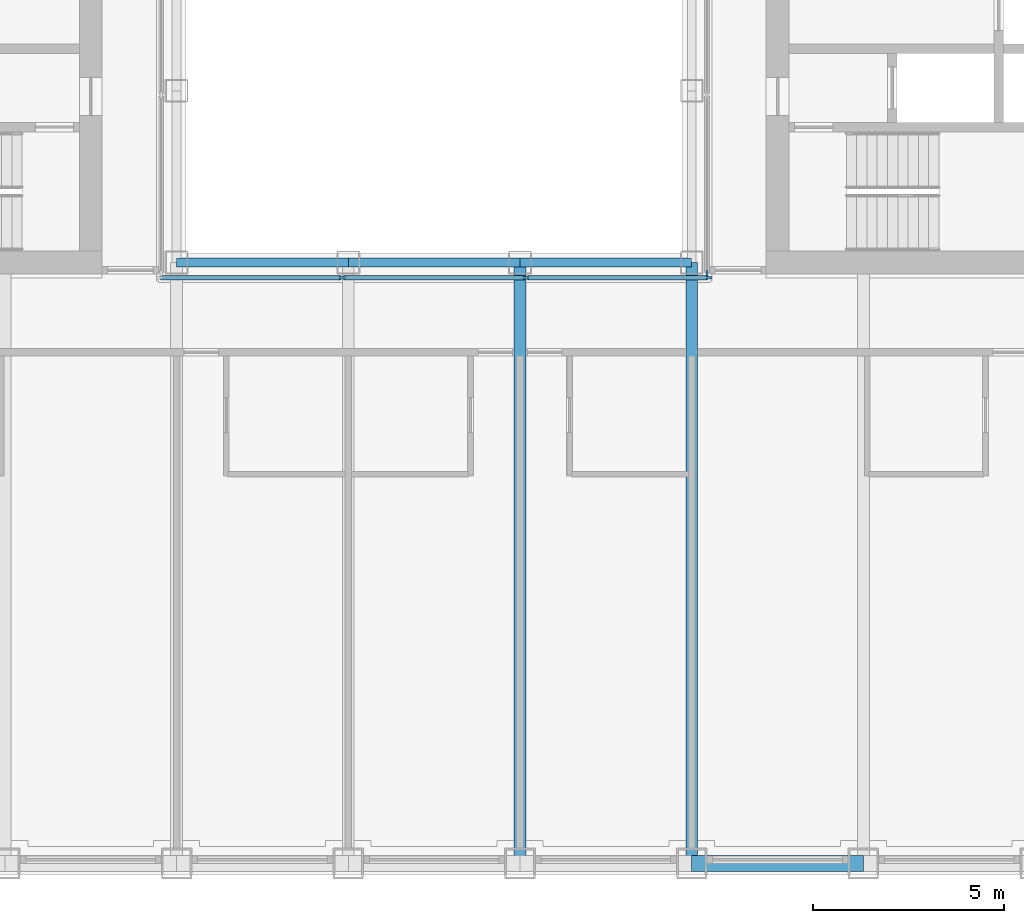
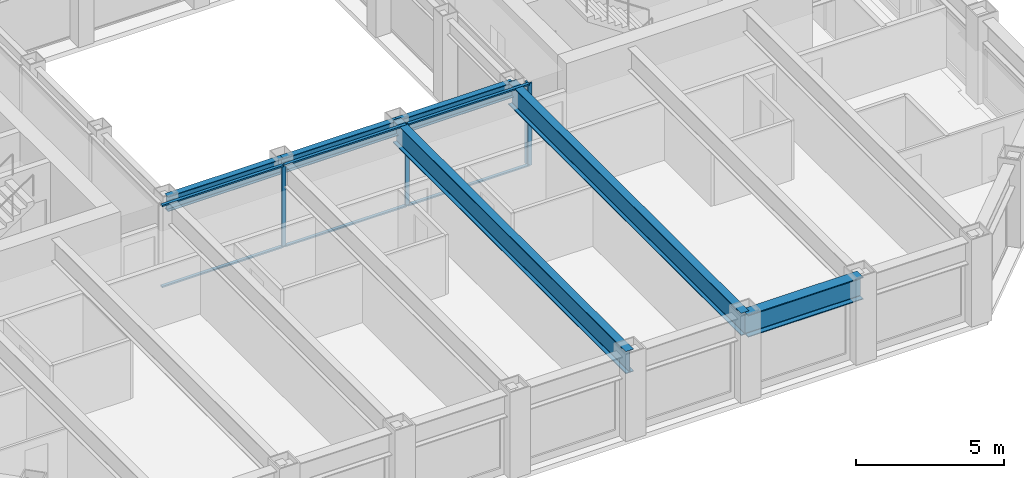
# One storey, part 3 of 17: 10 members, 6 beams, 2 elements without a shape of their own.
"""IFC4 building model written with IfcOpenShell, lengths in metres."""

from ifc_helpers import new_model, si_unit, direction, frame, origin, origin_2d, place, context, subcontext, project, spatial, rectangle, i_section, extrude, material, material_profile, profile_set, type_object, element, aggregate, save


model = new_model("IFC4")

# Units and contexts
model_context = context("Model", 3, precision=1e-05, world=origin(), true_north=direction((0.0, 1.0)))
body_context = subcontext(model_context, "Body", "Model", "MODEL_VIEW")
ifc_project = project(units=[si_unit("LENGTHUNIT", "METRE"), si_unit("AREAUNIT", "SQUARE_METRE"), si_unit("VOLUMEUNIT", "CUBIC_METRE"), si_unit("PLANEANGLEUNIT", "RADIAN"), si_unit("MASSUNIT", "GRAM", prefix="KILO")], contexts=[model_context])

# Site, building, storey
site_placement = place(None, origin())
site = spatial("IfcSite", under=ifc_project, at=site_placement, CompositionType="ELEMENT")
building_placement = place(site_placement, origin())
building = spatial("IfcBuilding", under=site, at=building_placement, Name="Msasa Ring Tower", CompositionType="ELEMENT")
storey_placement = place(building_placement, frame((0.0, 0.0, 158.0)))
storey = spatial("IfcBuildingStorey", under=building, at=storey_placement, Name="L41", CompositionType="ELEMENT", Elevation=158.0)

# Curtain wall, members
ifc_material_1 = material(Name="Aluminium curtain wall with clear glass", Category="aluminium")
curtain_wall_type = type_object("IfcCurtainWallType", Name="CW-W LIGHT WELL CURTAIN WALL", PredefinedType="NOTDEFINED", material=ifc_material_1)
curtain_wall_1_placement = place(storey_placement, origin())
curtain_wall_1 = element("IfcCurtainWall", 1, at=curtain_wall_1_placement, inside=storey, type_object=curtain_wall_type, Name="Light well curtain wall S L41", PredefinedType="NOTDEFINED")
ifc_material_2 = material(Name="Aluminium mullion", Category="aluminium")
ifc_material_profile_1 = material_profile(ifc_material_2, rectangle(XDim=0.06005859375, YDim=0.159912109375, at=origin_2d()), Name="AL 60x160")
ifc_profile_set_1 = profile_set([ifc_material_profile_1], Name="Aluminium mullion")
member_type_1 = type_object("IfcMemberType", Name="CW-W MULLION 60x160", PredefinedType="MULLION", material=ifc_profile_set_1)
member_1_placement = place(storey_placement, frame((-2.409912109375, -7.14990234375, 0.0), z_axis=(0.0, 0.0, 1.0), x_axis=(0.0, 1.0, 0.0)))
member_1 = element("IfcMember", 2, at=member_1_placement, type_object=member_type_1, Name="CW-W mullion 2", PredefinedType="MULLION", context=body_context, shape_type="SweptSolid", body=[
    extrude(rectangle(XDim=0.06005859375, YDim=0.159912109375, at=origin_2d()), origin(), (0.0, 0.0, 1.0), 3.39990234375),
])
member_2_placement = place(storey_placement, frame((2.409912109375, -7.14990234375, 0.0), z_axis=(0.0, 0.0, 1.0), x_axis=(0.0, 1.0, 0.0)))
member_2 = element("IfcMember", 3, at=member_2_placement, type_object=member_type_1, Name="CW-W mullion 3", PredefinedType="MULLION", context=body_context, shape_type="SweptSolid", body=[
    extrude(rectangle(XDim=0.06005859375, YDim=0.159912109375, at=origin_2d()), origin(), (0.0, 0.0, 1.0), 3.39990234375),
])
member_3_placement = place(storey_placement, frame((7.199951171875, -7.14990234375, 0.0), z_axis=(0.0, 0.0, 1.0), x_axis=(0.0, 1.0, 0.0)))
member_3 = element("IfcMember", 4, at=member_3_placement, type_object=member_type_1, Name="CW-W mullion 4", PredefinedType="MULLION", context=body_context, shape_type="SweptSolid", body=[
    extrude(rectangle(XDim=0.06005859375, YDim=0.159912109375, at=origin_2d()), origin(), (0.0, 0.0, 1.0), 3.39990234375),
])

# Curtain wall, member
curtain_wall_2_placement = place(storey_placement, origin())
curtain_wall_2 = element("IfcCurtainWall", 5, at=curtain_wall_2_placement, inside=storey, type_object=curtain_wall_type, Name="Light well curtain wall E L41", PredefinedType="NOTDEFINED")
member_4_placement = place(storey_placement, frame((7.14990234375, -7.0400390625, 0.0), z_axis=(0.0, 0.0, 1.0), x_axis=(-1.0, 0.0, 0.0)))
member_4 = element("IfcMember", 6, at=member_4_placement, type_object=member_type_1, Name="CW-W mullion 1", PredefinedType="MULLION", context=body_context, shape_type="SweptSolid", body=[
    extrude(rectangle(XDim=0.06005859375, YDim=0.159912109375, at=origin_2d()), origin(), (0.0, 0.0, 1.0), 3.39990234375),
])
aggregate(curtain_wall_2, [member_4])

# Member
ifc_material_3 = material(Name="Aluminium transom", Category="aluminium")
ifc_material_profile_2 = material_profile(ifc_material_3, rectangle(XDim=0.1201171875, YDim=0.06005859375, at=origin_2d()), Name="AL 60x120")
ifc_profile_set_2 = profile_set([ifc_material_profile_2], Name="Aluminium transom")
member_type_2 = type_object("IfcMemberType", Name="CW-W TRANSOM 60x120", PredefinedType="USERDEFINED", material=ifc_profile_set_2)
member_5_placement = place(storey_placement, frame((-7.169921875, -7.14990234375, 0.030029296875), z_axis=(1.0, 0.0, 0.0), x_axis=(0.0, 1.0, 0.0)))
member_5 = element("IfcMember", 7, at=member_5_placement, type_object=member_type_2, Name="CW-W transom 1.1", ObjectType="TRANSOM", PredefinedType="USERDEFINED", context=body_context, shape_type="SweptSolid", body=[
    extrude(rectangle(XDim=0.1201171875, YDim=0.06005859375, at=origin_2d()), origin(), (0.0, 0.0, 1.0), 4.72998046875),
])

member_6_placement = place(storey_placement, frame((-7.169921875, -7.14990234375, 3.3701171875), z_axis=(1.0, 0.0, 0.0), x_axis=(0.0, 1.0, 0.0)))
member_6 = element("IfcMember", 8, at=member_6_placement, type_object=member_type_2, Name="CW-W transom 1.2", ObjectType="TRANSOM", PredefinedType="USERDEFINED", context=body_context, shape_type="SweptSolid", body=[
    extrude(rectangle(XDim=0.1201171875, YDim=0.06005859375, at=origin_2d()), origin(), (0.0, 0.0, 1.0), 4.72998046875),
])

member_7_placement = place(storey_placement, frame((-2.3798828125, -7.14990234375, 0.030029296875), z_axis=(1.0, 0.0, 0.0), x_axis=(0.0, 1.0, 0.0)))
member_7 = element("IfcMember", 9, at=member_7_placement, type_object=member_type_2, Name="CW-W transom 2.1", ObjectType="TRANSOM", PredefinedType="USERDEFINED", context=body_context, shape_type="SweptSolid", body=[
    extrude(rectangle(XDim=0.1201171875, YDim=0.06005859375, at=origin_2d()), origin(), (0.0, 0.0, 1.0), 4.759765625),
])

member_8_placement = place(storey_placement, frame((-2.3798828125, -7.14990234375, 3.3701171875), z_axis=(1.0, 0.0, 0.0), x_axis=(0.0, 1.0, 0.0)))
member_8 = element("IfcMember", 10, at=member_8_placement, type_object=member_type_2, Name="CW-W transom 2.2", ObjectType="TRANSOM", PredefinedType="USERDEFINED", context=body_context, shape_type="SweptSolid", body=[
    extrude(rectangle(XDim=0.1201171875, YDim=0.06005859375, at=origin_2d()), origin(), (0.0, 0.0, 1.0), 4.759765625),
])

member_9_placement = place(storey_placement, frame((2.43994140625, -7.14990234375, 0.030029296875), z_axis=(1.0, 0.0, 0.0), x_axis=(0.0, 1.0, 0.0)))
member_9 = element("IfcMember", 11, at=member_9_placement, type_object=member_type_2, Name="CW-W transom 3.1", ObjectType="TRANSOM", PredefinedType="USERDEFINED", context=body_context, shape_type="SweptSolid", body=[
    extrude(rectangle(XDim=0.1201171875, YDim=0.06005859375, at=origin_2d()), origin(), (0.0, 0.0, 1.0), 4.72998046875),
])

member_10_placement = place(storey_placement, frame((2.43994140625, -7.14990234375, 3.3701171875), z_axis=(1.0, 0.0, 0.0), x_axis=(0.0, 1.0, 0.0)))
member_10 = element("IfcMember", 12, at=member_10_placement, type_object=member_type_2, Name="CW-W transom 3.2", ObjectType="TRANSOM", PredefinedType="USERDEFINED", context=body_context, shape_type="SweptSolid", body=[
    extrude(rectangle(XDim=0.1201171875, YDim=0.06005859375, at=origin_2d()), origin(), (0.0, 0.0, 1.0), 4.72998046875),
])

aggregate(curtain_wall_1, [member_1, member_2, member_3, member_5, member_6, member_7, member_8, member_9, member_10])

# Beams
ifc_material_4 = material(Name="Steel S355", Category="steel")
ifc_material_profile_3 = material_profile(ifc_material_4, i_section(OverallWidth=0.3076171875, OverallDepth=0.926513671875, WebThickness=0.01953125, FlangeThickness=0.031982421875, FilletRadius=0.01904296875, at=origin_2d()), Name="UB 914x305x289")
ifc_profile_set_3 = profile_set([ifc_material_profile_3], Name="Steel S355")
beam_type_1 = type_object("IfcBeamType", Name="FB3 UB 914x305x289", PredefinedType="BEAM", material=ifc_profile_set_3)
for number, where, z_axis, x_axis, name in (
    (13, (2.25, -22.5, 2.936767578125), (0.0, 1.0, 0.0), (-1.0, 0.0, 0.0), "Floor beam S+2.25 under L42"),
    (14, (6.75, -22.5, 2.936767578125), (0.0, 1.0, 0.0), (-1.0, 0.0, 0.0), "Floor beam S+6.75 under L42"),
):
    element("IfcBeam", number, at=place(storey_placement, frame(where, z_axis=z_axis, x_axis=x_axis)), inside=storey, type_object=beam_type_1, Name=name, PredefinedType="BEAM", context=body_context, shape_type="SweptSolid", body=[
        extrude(i_section(OverallWidth=0.3076171875, OverallDepth=0.926513671875, WebThickness=0.01953125, FlangeThickness=0.031982421875, FilletRadius=0.01904296875, at=origin_2d()), origin(), (0.0, 0.0, 1.0), 15.75),
    ])
ifc_material_5 = material(Name="Steel S355", Category="steel")
ifc_material_profile_4 = material_profile(ifc_material_5, i_section(OverallWidth=0.230224609375, OverallDepth=0.6171875, WebThickness=0.01318359375, FlangeThickness=0.022216796875, FilletRadius=0.0126953125, at=origin_2d()), Name="UB 610x229x140")
ifc_profile_set_4 = profile_set([ifc_material_profile_4], Name="Steel S355")
beam_type_2 = type_object("IfcBeamType", Name="RB1 UB 610x229x140", PredefinedType="BEAM", material=ifc_profile_set_4)
for number, where, z_axis, x_axis, name in (
    (15, (-6.75, -6.75, 3.09130859375), (1.0, 0.0, 0.0), (0.0, 1.0, 0.0), "Inner ring beam IR-6.75-6.75 under L42"),
    (16, (-2.25, -6.75, 3.09130859375), (1.0, 0.0, 0.0), (0.0, 1.0, 0.0), "Inner ring beam IR-2.25-6.75 under L42"),
    (17, (2.25, -6.75, 3.09130859375), (1.0, 0.0, 0.0), (0.0, 1.0, 0.0), "Inner ring beam IR+2.25-6.75 under L42"),
):
    element("IfcBeam", number, at=place(storey_placement, frame(where, z_axis=z_axis, x_axis=x_axis)), inside=storey, type_object=beam_type_2, Name=name, PredefinedType="BEAM", context=body_context, shape_type="SweptSolid", body=[
        extrude(i_section(OverallWidth=0.230224609375, OverallDepth=0.6171875, WebThickness=0.01318359375, FlangeThickness=0.022216796875, FilletRadius=0.0126953125, at=origin_2d()), origin(), (0.0, 0.0, 1.0), 4.5),
    ])
ifc_material_6 = material(Name="Steel S355", Category="steel")
ifc_material_profile_5 = material_profile(ifc_material_6, i_section(OverallWidth=0.42041015625, OverallDepth=0.9208984375, WebThickness=0.021484375, FlangeThickness=0.03662109375, FilletRadius=0.024169921875, at=origin_2d()), Name="UB 914x419x388")
ifc_profile_set_5 = profile_set([ifc_material_profile_5], Name="Steel S355")
beam_type_3 = type_object("IfcBeamType", Name="SB1 UB 914x419x388", PredefinedType="SPANDREL", material=ifc_profile_set_5)
beam_placement = place(storey_placement, frame((6.75, -22.5, 2.939453125), z_axis=(1.0, 0.0, 0.0), x_axis=(0.0, 1.0, 0.0)))
element("IfcBeam", 18, at=beam_placement, inside=storey, type_object=beam_type_3, Name="Spandrel S+6.75 to S+11.25 under L42", PredefinedType="SPANDREL", context=body_context, shape_type="SweptSolid", body=[
    extrude(i_section(OverallWidth=0.42041015625, OverallDepth=0.9208984375, WebThickness=0.021484375, FlangeThickness=0.03662109375, FilletRadius=0.024169921875, at=origin_2d()), origin(), (0.0, 0.0, 1.0), 4.5),
])

save(model, "model.ifc")
